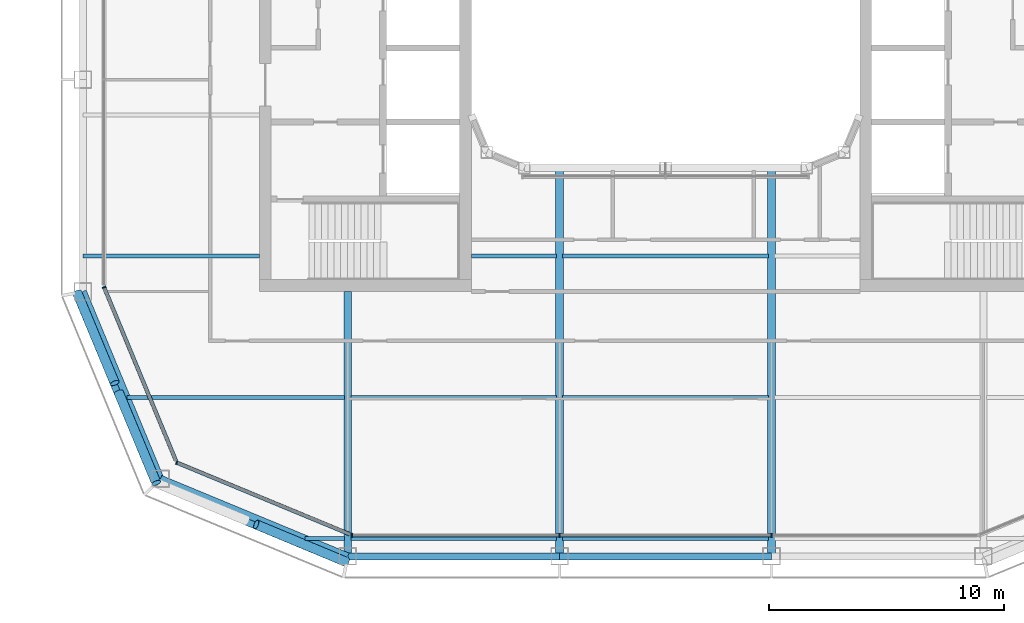
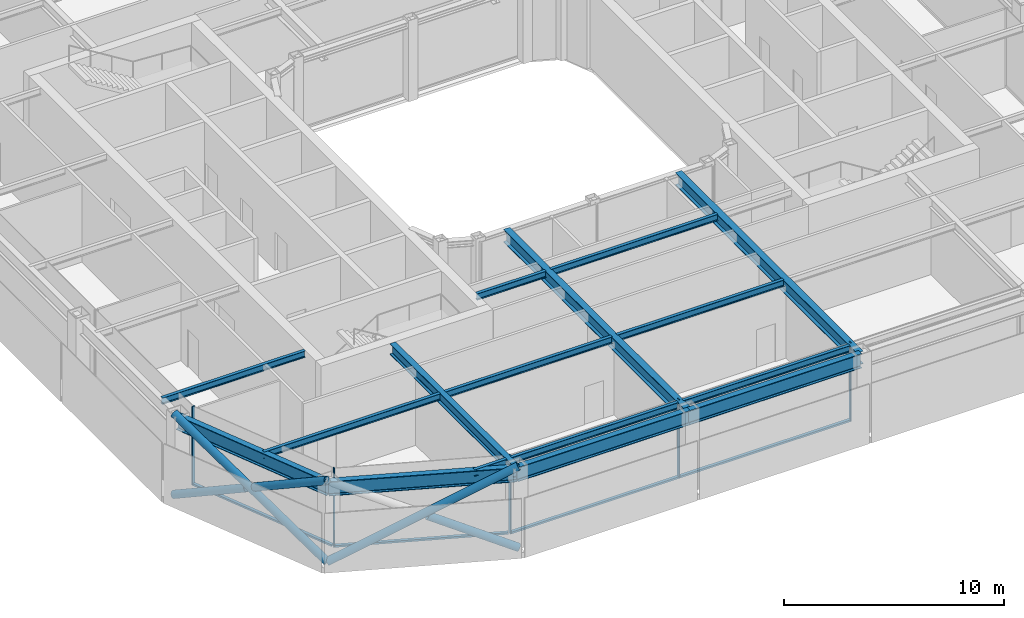
# One storey, part 2 of 21: 16 beams, 14 members, 3 elements without a shape of their own.
"""IFC4 building model written with IfcOpenShell, lengths in metres."""

from ifc_helpers import new_model, si_unit, direction, frame, origin, origin_2d, place, context, subcontext, project, spatial, rectangle, hollow_circle, i_section, extrude, material, layer, layer_set, material_profile, profile_set, type_object, element, aggregate, save


model = new_model("IFC4")

# Units and contexts
model_context = context("Model", 3, precision=1e-05, world=origin(), true_north=direction((0.0, 1.0)))
body_context = subcontext(model_context, "Body", "Model", "MODEL_VIEW")
ifc_project = project(units=[si_unit("LENGTHUNIT", "METRE"), si_unit("AREAUNIT", "SQUARE_METRE"), si_unit("VOLUMEUNIT", "CUBIC_METRE"), si_unit("PLANEANGLEUNIT", "RADIAN"), si_unit("MASSUNIT", "GRAM", prefix="KILO")], contexts=[model_context])

# Site, building, storey
site_placement = place(None, origin())
site = spatial("IfcSite", under=ifc_project, at=site_placement, CompositionType="ELEMENT")
building_placement = place(site_placement, origin())
building = spatial("IfcBuilding", under=site, at=building_placement, Name="Siwar Civic Tower", CompositionType="ELEMENT")
storey_placement = place(building_placement, frame((0.0, 0.0, 312.199951171875)))
storey = spatial("IfcBuildingStorey", under=building, at=storey_placement, Name="L67", CompositionType="ELEMENT", Elevation=312.199951171875)

# Curtain wall, members
ifc_material_1 = material(Name="Aluminium and glass", Category="aluminium")
ifc_layer_1 = layer(ifc_material_1, 0.159912109375)
ifc_layer_set_1 = layer_set([ifc_layer_1], Name="Aluminium and glass")
curtain_wall_type_1 = type_object("IfcCurtainWallType", Name="ENV-CW-D", PredefinedType="NOTDEFINED", material=ifc_layer_set_1)
curtain_wall_1_placement = place(storey_placement, origin())
curtain_wall_1 = element("IfcCurtainWall", 1, at=curtain_wall_1_placement, inside=storey, type_object=curtain_wall_type_1, Name="Curtain wall D S", PredefinedType="NOTDEFINED")
ifc_material_2 = material(Name="Aluminium 6063-T6", Category="aluminium")
ifc_material_profile_1 = material_profile(ifc_material_2, rectangle(XDim=0.159912109375, YDim=0.06005859375, at=origin_2d()), Name="AL 160x60")
ifc_profile_set_1 = profile_set([ifc_material_profile_1], Name="Aluminium 6063-T6")
member_type_1 = type_object("IfcMemberType", Name="ENV-MULLION-D", PredefinedType="MULLION", material=ifc_profile_set_1)
member_1_placement = place(storey_placement, frame((-13.321044921875, -23.85009765625, 0.0), z_axis=(0.0, 0.0, 1.0), x_axis=(0.0, 1.0, 0.0)))
member_1 = element("IfcMember", 2, at=member_1_placement, type_object=member_type_1, Name="Mullion D S 1", PredefinedType="MULLION", context=body_context, shape_type="SweptSolid", body=[
    extrude(rectangle(XDim=0.159912109375, YDim=0.06005859375, at=origin_2d()), origin(), (0.0, 0.0, 1.0), 4.35009765625),
])
member_2_placement = place(storey_placement, frame((-4.5, -23.85009765625, 0.0), z_axis=(0.0, 0.0, 1.0), x_axis=(0.0, 1.0, 0.0)))
member_2 = element("IfcMember", 3, at=member_2_placement, type_object=member_type_1, Name="Mullion D S 2", PredefinedType="MULLION", context=body_context, shape_type="SweptSolid", body=[
    extrude(rectangle(XDim=0.159912109375, YDim=0.06005859375, at=origin_2d()), origin(), (0.0, 0.0, 1.0), 4.35009765625),
])
member_3_placement = place(storey_placement, frame((4.5, -23.85009765625, 0.0), z_axis=(0.0, 0.0, 1.0), x_axis=(0.0, 1.0, 0.0)))
member_3 = element("IfcMember", 4, at=member_3_placement, type_object=member_type_1, Name="Mullion D S 3", PredefinedType="MULLION", context=body_context, shape_type="SweptSolid", body=[
    extrude(rectangle(XDim=0.159912109375, YDim=0.06005859375, at=origin_2d()), origin(), (0.0, 0.0, 1.0), 4.35009765625),
])

# Curtain wall, member
ifc_material_3 = material(Name="Aluminium clad insulated panel", Category="aluminium")
ifc_layer_2 = layer(ifc_material_3, 0.159912109375)
ifc_layer_set_2 = layer_set([ifc_layer_2], Name="Aluminium clad insulated panel")
curtain_wall_type_2 = type_object("IfcCurtainWallType", Name="ENV-CW-DX", PredefinedType="NOTDEFINED", material=ifc_layer_set_2)
curtain_wall_2_placement = place(storey_placement, origin())
curtain_wall_2 = element("IfcCurtainWall", 5, at=curtain_wall_2_placement, inside=storey, type_object=curtain_wall_type_2, Name="Curtain wall D SW1", PredefinedType="NOTDEFINED")
member_4_placement = place(storey_placement, frame((-23.85009765625, -13.321044921875, 0.0), z_axis=(0.0, 0.0, 1.0), x_axis=(0.923879532511, 0.382683432365, 0.0)))
member_4 = element("IfcMember", 6, at=member_4_placement, type_object=member_type_1, Name="Mullion D SW1 1", PredefinedType="MULLION", context=body_context, shape_type="SweptSolid", body=[
    extrude(rectangle(XDim=0.159912109375, YDim=0.06005859375, at=origin_2d()), origin(), (0.0, 0.0, 1.0), 4.35009765625),
])

curtain_wall_3_placement = place(storey_placement, origin())
curtain_wall_3 = element("IfcCurtainWall", 7, at=curtain_wall_3_placement, inside=storey, type_object=curtain_wall_type_2, Name="Curtain wall D SW2", PredefinedType="NOTDEFINED")
member_5_placement = place(storey_placement, frame((-20.76611328125, -20.76611328125, 0.0), z_axis=(0.0, 0.0, 1.0), x_axis=(0.382683432365, 0.923879532511, 0.0)))
member_5 = element("IfcMember", 8, at=member_5_placement, type_object=member_type_1, Name="Mullion D SW2 1", PredefinedType="MULLION", context=body_context, shape_type="SweptSolid", body=[
    extrude(rectangle(XDim=0.159912109375, YDim=0.06005859375, at=origin_2d()), origin(), (0.0, 0.0, 1.0), 4.35009765625),
])

# Member
ifc_material_4 = material(Name="Aluminium 6063-T6", Category="aluminium")
ifc_material_profile_2 = material_profile(ifc_material_4, rectangle(XDim=0.159912109375, YDim=0.10009765625, at=origin_2d()), Name="AL 160x100")
ifc_profile_set_2 = profile_set([ifc_material_profile_2], Name="Aluminium 6063-T6")
member_type_2 = type_object("IfcMemberType", Name="ENV-TRANSOM-D", PredefinedType="USERDEFINED", material=ifc_profile_set_2)
member_6_placement = place(storey_placement, frame((-13.291015625, -23.85009765625, 0.050048828125), z_axis=(1.0, 0.0, 0.0), x_axis=(0.0, 1.0, 0.0)))
member_6 = element("IfcMember", 9, at=member_6_placement, type_object=member_type_2, Name="Transom D S 1", ObjectType="TRANSOM", PredefinedType="USERDEFINED", context=body_context, shape_type="SweptSolid", body=[
    extrude(rectangle(XDim=0.159912109375, YDim=0.10009765625, at=origin_2d()), origin(), (0.0, 0.0, 1.0), 8.760986328125),
])

member_7_placement = place(storey_placement, frame((-4.469970703125, -23.85009765625, 0.050048828125), z_axis=(1.0, 0.0, 0.0), x_axis=(0.0, 1.0, 0.0)))
member_7 = element("IfcMember", 10, at=member_7_placement, type_object=member_type_2, Name="Transom D S 2", ObjectType="TRANSOM", PredefinedType="USERDEFINED", context=body_context, shape_type="SweptSolid", body=[
    extrude(rectangle(XDim=0.159912109375, YDim=0.10009765625, at=origin_2d()), origin(), (0.0, 0.0, 1.0), 8.93994140625),
])

aggregate(curtain_wall_1, [member_1, member_2, member_3, member_6, member_7])

member_8_placement = place(storey_placement, frame((-23.838623046875, -13.3486328125, 0.050048828125), z_axis=(0.382699790424, -0.923872756612, 0.0), x_axis=(0.923872756612, 0.382699790424, 0.0)))
member_8 = element("IfcMember", 11, at=member_8_placement, type_object=member_type_2, Name="Transom D SW1 1", ObjectType="TRANSOM", PredefinedType="USERDEFINED", context=body_context, shape_type="SweptSolid", body=[
    extrude(rectangle(XDim=0.159912109375, YDim=0.10009765625, at=origin_2d()), origin(), (0.0, 0.0, 1.0), 7.930908203125),
])

aggregate(curtain_wall_2, [member_4, member_8])

member_9_placement = place(storey_placement, frame((-20.738525390625, -20.777587890625, 0.050048828125), z_axis=(0.923883640343, -0.382673515031, 0.0), x_axis=(0.382673515031, 0.923883640343, 0.0)))
member_9 = element("IfcMember", 12, at=member_9_placement, type_object=member_type_2, Name="Transom D SW2 1", ObjectType="TRANSOM", PredefinedType="USERDEFINED", context=body_context, shape_type="SweptSolid", body=[
    extrude(rectangle(XDim=0.159912109375, YDim=0.10009765625, at=origin_2d()), origin(), (0.0, 0.0, 1.0), 7.930908203125),
])

aggregate(curtain_wall_3, [member_5, member_9])

# Members
ifc_material_5 = material(Name="Steel S355", Category="steel")
ifc_material_profile_3 = material_profile(ifc_material_5, hollow_circle(Radius=0.203125, WallThickness=0.01611328125, at=origin_2d()), Name="CHS406.4x16")
ifc_profile_set_3 = profile_set([ifc_material_profile_3], Name="Steel S355")
member_type_3 = type_object("IfcMemberType", Name="STR-BR-CHS406.4x16", PredefinedType="BRACE", material=ifc_profile_set_3)
member_10_placement = place(storey_placement, frame((-21.6318359375, -21.6318359375, 0.0), z_axis=(0.821142553604, -0.341671493852, 0.457149315816), x_axis=(0.384163874976, 0.923264922524, 0.0)))
element("IfcMember", 13, at=member_10_placement, inside=storey, type_object=member_type_3, Name="L67/brc/DSW1-6-0-1", PredefinedType="BRACE", context=body_context, shape_type="SweptSolid", body=[
    extrude(hollow_circle(Radius=0.203125, WallThickness=0.01611328125, at=origin_2d()), origin(), (0.0, 0.0, 1.0), 9.843505859375),
])
member_11_placement = place(storey_placement, frame((-13.548828125, -24.9951171875, 0.0), z_axis=(-0.821130093572, 0.341659024948, 0.45718101459), x_axis=(-0.384156893273, -0.923267827529, 0.0)))
element("IfcMember", 14, at=member_11_placement, inside=storey, type_object=member_type_3, Name="L67/brc/DSW1-6-0-2", PredefinedType="BRACE", context=body_context, shape_type="SweptSolid", body=[
    extrude(hollow_circle(Radius=0.203125, WallThickness=0.01611328125, at=origin_2d()), origin(), (0.0, 0.0, 1.0), 4.677001953125),
])
member_12_placement = place(storey_placement, frame((-21.6318359375, -21.6318359375, 0.0), z_axis=(-0.341671493852, 0.821142553604, 0.457149315816), x_axis=(-0.923264922524, -0.384163874976, 0.0)))
element("IfcMember", 15, at=member_12_placement, inside=storey, type_object=member_type_3, Name="L67/brc/DSW1-6-0-0", PredefinedType="BRACE", context=body_context, shape_type="SweptSolid", body=[
    extrude(hollow_circle(Radius=0.203125, WallThickness=0.01611328125, at=origin_2d()), origin(), (0.0, 0.0, 1.0), 9.843505859375),
])
for number, where, z_axis, x_axis, name in (
    (16, (-24.9951171875, -13.548828125, 0.0), (0.341659024948, -0.821130093572, 0.45718101459), (0.923267827529, 0.384156893273, 0.0), "L67/brc/DSW1-6-0-4"),
    (17, (-23.229736328125, -17.791259765625, 2.362060546875), (0.341652533125, -0.821166691915, 0.457120127208), (0.923276488787, 0.38413607648, 0.0), "L67/brc/DSW1-6-0-5"),
):
    element("IfcMember", number, at=place(storey_placement, frame(where, z_axis=z_axis, x_axis=x_axis)), inside=storey, type_object=member_type_3, Name=name, PredefinedType="BRACE", context=body_context, shape_type="SweptSolid", body=[
        extrude(hollow_circle(Radius=0.203125, WallThickness=0.01611328125, at=origin_2d()), origin(), (0.0, 0.0, 1.0), 4.677001953125),
    ])

# Beams
ifc_material_6 = material(Name="Steel S355", Category="steel")
ifc_material_profile_4 = material_profile(ifc_material_6, i_section(OverallWidth=0.169921875, OverallDepth=0.360107421875, WebThickness=0.008056640625, FlangeThickness=0.0126953125, FilletRadius=0.01806640625, at=origin_2d()), Name="IPE360")
ifc_profile_set_4 = profile_set([ifc_material_profile_4], Name="Steel S355")
beam_type_1 = type_object("IfcBeamType", Name="STR-FB-IPE360", PredefinedType="JOIST", material=ifc_profile_set_4)
beam_1_placement = place(storey_placement, frame((-15.310546875, -24.0, 4.170166015625), z_axis=(1.0, 0.0, 0.0), x_axis=(0.0, 1.0, 0.0)))
element("IfcBeam", 18, at=beam_1_placement, inside=storey, type_object=beam_type_1, Name="L67/bm/F001", PredefinedType="JOIST", context=body_context, shape_type="SweptSolid", body=[
    extrude(i_section(OverallWidth=0.169921875, OverallDepth=0.360107421875, WebThickness=0.008056640625, FlangeThickness=0.0126953125, FilletRadius=0.01806640625, at=origin_2d()), origin(), (0.0, 0.0, 1.0), 1.6806640625),
])
for number, where, z_axis, x_axis, name in (
    (19, (-13.3701171875, -24.0, 4.170166015625), (1.0, 0.0, 0.0), (0.0, 1.0, 0.0), "L67/bm/F002"),
    (20, (-4.3701171875, -24.0, 4.170166015625), (1.0, 0.0, 0.0), (0.0, 1.0, 0.0), "L67/bm/F003"),
):
    element("IfcBeam", number, at=place(storey_placement, frame(where, z_axis=z_axis, x_axis=x_axis)), inside=storey, type_object=beam_type_1, Name=name, PredefinedType="JOIST", context=body_context, shape_type="SweptSolid", body=[
        extrude(i_section(OverallWidth=0.169921875, OverallDepth=0.360107421875, WebThickness=0.008056640625, FlangeThickness=0.0126953125, FilletRadius=0.01806640625, at=origin_2d()), origin(), (0.0, 0.0, 1.0), 8.740234375),
    ])
beam_2_placement = place(storey_placement, frame((-22.885986328125, -18.0, 4.170166015625), z_axis=(1.0, 0.0, 0.0), x_axis=(0.0, 1.0, 0.0)))
element("IfcBeam", 21, at=beam_2_placement, inside=storey, type_object=beam_type_1, Name="L67/bm/F006", PredefinedType="JOIST", context=body_context, shape_type="SweptSolid", body=[
    extrude(i_section(OverallWidth=0.169921875, OverallDepth=0.360107421875, WebThickness=0.008056640625, FlangeThickness=0.0126953125, FilletRadius=0.01806640625, at=origin_2d()), origin(), (0.0, 0.0, 1.0), 9.256103515625),
])
for number, where, z_axis, x_axis, name in (
    (22, (-13.3701171875, -18.0, 4.170166015625), (1.0, 0.0, 0.0), (0.0, 1.0, 0.0), "L67/bm/F007"),
    (23, (-4.3701171875, -18.0, 4.170166015625), (1.0, 0.0, 0.0), (0.0, 1.0, 0.0), "L67/bm/F008"),
):
    element("IfcBeam", number, at=place(storey_placement, frame(where, z_axis=z_axis, x_axis=x_axis)), inside=storey, type_object=beam_type_1, Name=name, PredefinedType="JOIST", context=body_context, shape_type="SweptSolid", body=[
        extrude(i_section(OverallWidth=0.169921875, OverallDepth=0.360107421875, WebThickness=0.008056640625, FlangeThickness=0.0126953125, FilletRadius=0.01806640625, at=origin_2d()), origin(), (0.0, 0.0, 1.0), 8.740234375),
    ])
beam_3_placement = place(storey_placement, frame((-24.75, -12.0, 4.170166015625), z_axis=(1.0, 0.0, 0.0), x_axis=(0.0, 1.0, 0.0)))
element("IfcBeam", 24, at=beam_3_placement, inside=storey, type_object=beam_type_1, Name="L67/bm/F011", PredefinedType="JOIST", context=body_context, shape_type="SweptSolid", body=[
    extrude(i_section(OverallWidth=0.169921875, OverallDepth=0.360107421875, WebThickness=0.008056640625, FlangeThickness=0.0126953125, FilletRadius=0.01806640625, at=origin_2d()), origin(), (0.0, 0.0, 1.0), 7.5),
])
beam_4_placement = place(storey_placement, frame((-8.25, -12.0, 4.170166015625), z_axis=(1.0, 0.0, 0.0), x_axis=(0.0, 1.0, 0.0)))
element("IfcBeam", 25, at=beam_4_placement, inside=storey, type_object=beam_type_1, Name="L67/bm/F012", PredefinedType="JOIST", context=body_context, shape_type="SweptSolid", body=[
    extrude(i_section(OverallWidth=0.169921875, OverallDepth=0.360107421875, WebThickness=0.008056640625, FlangeThickness=0.0126953125, FilletRadius=0.01806640625, at=origin_2d()), origin(), (0.0, 0.0, 1.0), 3.6201171875),
])
beam_5_placement = place(storey_placement, frame((-4.3701171875, -12.0, 4.170166015625), z_axis=(1.0, 0.0, 0.0), x_axis=(0.0, 1.0, 0.0)))
element("IfcBeam", 26, at=beam_5_placement, inside=storey, type_object=beam_type_1, Name="L67/bm/F013", PredefinedType="JOIST", context=body_context, shape_type="SweptSolid", body=[
    extrude(i_section(OverallWidth=0.169921875, OverallDepth=0.360107421875, WebThickness=0.008056640625, FlangeThickness=0.0126953125, FilletRadius=0.01806640625, at=origin_2d()), origin(), (0.0, 0.0, 1.0), 8.740234375),
])
ifc_material_7 = material(Name="Steel S355", Category="steel")
ifc_material_profile_5 = material_profile(ifc_material_7, i_section(OverallWidth=0.300048828125, OverallDepth=0.60009765625, WebThickness=0.015380859375, FlangeThickness=0.030029296875, FilletRadius=0.027099609375, at=origin_2d()), Name="HEB600")
ifc_profile_set_5 = profile_set([ifc_material_profile_5], Name="Steel S355")
beam_type_2 = type_object("IfcBeamType", Name="STR-PG-HEB600", PredefinedType="BEAM", material=ifc_profile_set_5)
beam_6_placement = place(storey_placement, frame((-13.5, -24.75, 4.050048828125), z_axis=(0.0, 1.0, 0.0), x_axis=(-1.0, 0.0, 0.0)))
element("IfcBeam", 27, at=beam_6_placement, inside=storey, type_object=beam_type_2, Name="L67/bm/G01", PredefinedType="BEAM", context=body_context, shape_type="SweptSolid", body=[
    extrude(i_section(OverallWidth=0.300048828125, OverallDepth=0.60009765625, WebThickness=0.015380859375, FlangeThickness=0.030029296875, FilletRadius=0.027099609375, at=origin_2d()), origin(), (0.0, 0.0, 1.0), 11.25),
])
ifc_material_8 = material(Name="Steel S355", Category="steel")
ifc_material_profile_6 = material_profile(ifc_material_8, i_section(OverallWidth=0.340087890625, OverallDepth=0.699951171875, WebThickness=0.013916015625, FlangeThickness=0.030029296875, at=origin_2d()), Name="PG700x340x14x30")
ifc_profile_set_6 = profile_set([ifc_material_profile_6], Name="Steel S355")
beam_type_3 = type_object("IfcBeamType", Name="STR-PG-PG700x340x14x30", PredefinedType="BEAM", material=ifc_profile_set_6)
for number, where, z_axis, x_axis, name in (
    (28, (-4.5, -24.75, 4.0), (0.0, 1.0, 0.0), (-1.0, 0.0, 0.0), "L67/bm/G03"),
    (29, (4.5, -24.75, 4.0), (0.0, 1.0, 0.0), (-1.0, 0.0, 0.0), "L67/bm/G05"),
):
    element("IfcBeam", number, at=place(storey_placement, frame(where, z_axis=z_axis, x_axis=x_axis)), inside=storey, type_object=beam_type_3, Name=name, PredefinedType="BEAM", context=body_context, shape_type="SweptSolid", body=[
        extrude(i_section(OverallWidth=0.340087890625, OverallDepth=0.699951171875, WebThickness=0.013916015625, FlangeThickness=0.030029296875, at=origin_2d()), origin(), (0.0, 0.0, 1.0), 16.5),
    ])
ifc_material_9 = material(Name="Steel S355", Category="steel")
ifc_material_profile_7 = material_profile(ifc_material_9, i_section(OverallWidth=0.300048828125, OverallDepth=0.800048828125, WebThickness=0.017578125, FlangeThickness=0.032958984375, FilletRadius=0.030029296875, at=origin_2d()), Name="HEB800")
ifc_profile_set_7 = profile_set([ifc_material_profile_7], Name="Steel S355")
beam_type_4 = type_object("IfcBeamType", Name="STR-SB-HEB800", PredefinedType="BEAM", material=ifc_profile_set_7)
for number, where, z_axis, x_axis, name in (
    (30, (-13.5, -24.75, 3.949951171875), (1.0, 0.0, 0.0), (0.0, 1.0, 0.0), "L67/bm/SS-0"),
    (31, (-4.5, -24.75, 3.949951171875), (1.0, 0.0, 0.0), (0.0, 1.0, 0.0), "L67/bm/SS-1"),
):
    element("IfcBeam", number, at=place(storey_placement, frame(where, z_axis=z_axis, x_axis=x_axis)), inside=storey, type_object=beam_type_4, Name=name, PredefinedType="BEAM", context=body_context, shape_type="SweptSolid", body=[
        extrude(i_section(OverallWidth=0.300048828125, OverallDepth=0.800048828125, WebThickness=0.017578125, FlangeThickness=0.032958984375, FilletRadius=0.030029296875, at=origin_2d()), origin(), (0.0, 0.0, 1.0), 9.0),
    ])
for number, where, z_axis, x_axis, name in (
    (32, (-24.75, -13.5, 3.949951171875), (0.382699877515, -0.923872720536, 0.0), (0.923872720536, 0.382699877515, 0.0), "L67/bm/SSW1-0"),
    (33, (-21.454833984375, -21.454833984375, 3.949951171875), (0.923872720536, -0.382699877515, 0.0), (0.382699877515, 0.923872720536, 0.0), "L67/bm/SSW2-0"),
):
    element("IfcBeam", number, at=place(storey_placement, frame(where, z_axis=z_axis, x_axis=x_axis)), inside=storey, type_object=beam_type_4, Name=name, PredefinedType="BEAM", context=body_context, shape_type="SweptSolid", body=[
        extrude(i_section(OverallWidth=0.300048828125, OverallDepth=0.800048828125, WebThickness=0.017578125, FlangeThickness=0.032958984375, FilletRadius=0.030029296875, at=origin_2d()), origin(), (0.0, 0.0, 1.0), 8.6103515625),
    ])

save(model, "model.ifc")
